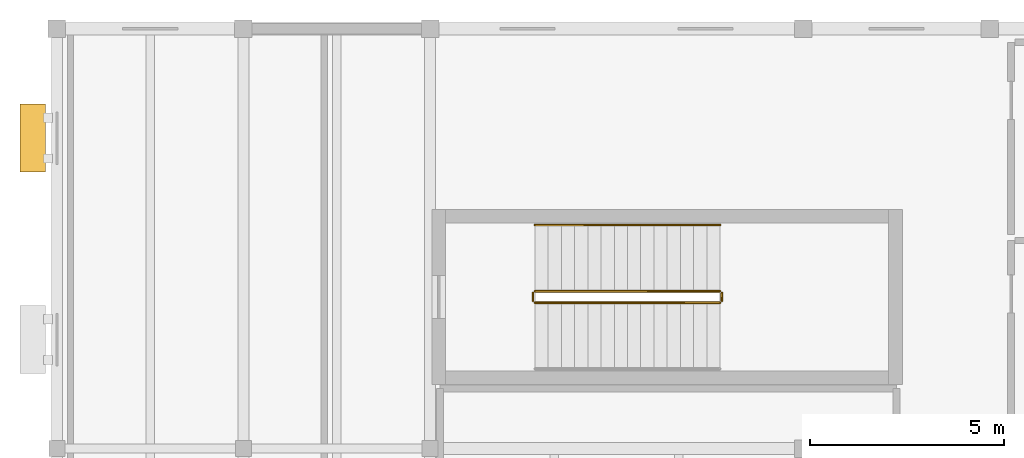
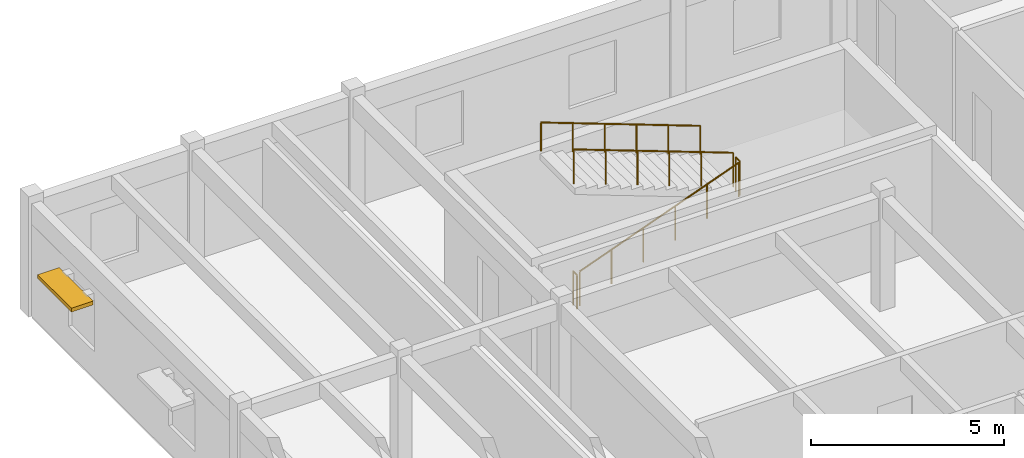
# One storey, part 17 of 18: 5 railings, 1 shading device.
"""IFC4 building model written with IfcOpenShell, lengths in metres."""

from ifc_helpers import new_model, si_unit, direction, frame, origin, origin_2d, place, context, subcontext, project, spatial, rectangle, circle, extrude, material, type_object, element, save


model = new_model("IFC4")

# Units and contexts
model_context = context("Model", 3, precision=1e-05, world=origin(), true_north=direction((0.0, 1.0)))
body_context = subcontext(model_context, "Body", "Model", "MODEL_VIEW")
ifc_project = project(units=[si_unit("LENGTHUNIT", "METRE"), si_unit("AREAUNIT", "SQUARE_METRE"), si_unit("VOLUMEUNIT", "CUBIC_METRE"), si_unit("PLANEANGLEUNIT", "RADIAN"), si_unit("MASSUNIT", "GRAM", prefix="KILO")], contexts=[model_context])

# Site, building, storey
site_placement = place(None, origin())
site = spatial("IfcSite", under=ifc_project, at=site_placement, CompositionType="ELEMENT")
building_placement = place(site_placement, origin())
building = spatial("IfcBuilding", under=site, at=building_placement, Name="Veldera Park Congress Hotel", CompositionType="ELEMENT")
storey_placement = place(building_placement, frame((0.0, 0.0, 31.39990234375)))
storey = spatial("IfcBuildingStorey", under=building, at=storey_placement, Name="L07", CompositionType="ELEMENT", Elevation=31.39990234375)

# Railings
ifc_material_1 = material(Name="Steel ASTM A992 Gr.50", Category="steel")
railing_type_1 = type_object("IfcRailingType", Name="GRD-ST110", PredefinedType="GUARDRAIL", material=ifc_material_1)
railing_1_placement = place(storey_placement, frame((53.89990234375, 50.949951171875, 0.126708984375)))
element("IfcRailing", 1, at=railing_1_placement, inside=storey, type_object=railing_type_1, Name="L07 ST3 stair guard 1", PredefinedType="GUARDRAIL", context=body_context, shape_type="SweptSolid", body=[
    extrude(circle(Radius=0.02392578125, at=origin_2d()), frame((0.0, 0.0, 1.076171875), z_axis=(0.937075640343, 0.0, 0.349126401572), x_axis=(0.0, 1.0, 0.0)), (0.0, 0.0, 1.0), 5.07958984375),
    extrude(circle(Radius=0.02099609375, at=origin_2d()), origin(), (0.0, 0.0, 1.0), 1.052001953125),
    extrude(circle(Radius=0.02099609375, at=origin_2d()), frame((0.951904296875, 0.0, 0.354736328125)), (0.0, 0.0, 1.0), 1.052001953125),
    extrude(circle(Radius=0.02099609375, at=origin_2d()), frame((1.904052734375, 0.0, 0.70947265625)), (0.0, 0.0, 1.0), 1.052001953125),
    extrude(circle(Radius=0.02099609375, at=origin_2d()), frame((2.85595703125, 0.0, 1.06396484375)), (0.0, 0.0, 1.0), 1.052001953125),
    extrude(circle(Radius=0.02099609375, at=origin_2d()), frame((3.80810546875, 0.0, 1.418701171875)), (0.0, 0.0, 1.0), 1.052001953125),
    extrude(circle(Radius=0.02099609375, at=origin_2d()), frame((4.760009765625, 0.0, 1.7734375)), (0.0, 0.0, 1.0), 1.052001953125),
])
railing_2_placement = place(storey_placement, frame((58.7099609375, 51.0, 1.900146484375)))
element("IfcRailing", 2, at=railing_2_placement, inside=storey, type_object=railing_type_1, Name="L07 ST3 stair guard 2", PredefinedType="GUARDRAIL", context=body_context, shape_type="SweptSolid", body=[
    extrude(circle(Radius=0.02392578125, at=origin_2d()), frame((0.0, 0.0, 1.076171875), z_axis=(0.0, 1.0, 0.0), x_axis=(-1.0, 0.0, 0.0)), (0.0, 0.0, 1.0), 0.199951171875),
    extrude(circle(Radius=0.02099609375, at=origin_2d()), origin(), (0.0, 0.0, 1.0), 1.052001953125),
    extrude(circle(Radius=0.02099609375, at=origin_2d()), frame((0.0, 0.199951171875, 0.0)), (0.0, 0.0, 1.0), 1.052001953125),
])
railing_3_placement = place(storey_placement, frame((58.659912109375, 51.25, 2.02685546875)))
element("IfcRailing", 3, at=railing_3_placement, inside=storey, type_object=railing_type_1, Name="L07 ST3 stair guard 3", PredefinedType="GUARDRAIL", context=body_context, shape_type="SweptSolid", body=[
    extrude(circle(Radius=0.02392578125, at=origin_2d()), frame((0.0, 0.0, 1.076171875), z_axis=(-0.937091363699, 0.0, 0.349084196263), x_axis=(0.0, -1.0, 0.0)), (0.0, 0.0, 1.0), 5.07958984375),
    extrude(circle(Radius=0.02099609375, at=origin_2d()), origin(), (0.0, 0.0, 1.0), 1.052001953125),
    extrude(circle(Radius=0.02099609375, at=origin_2d()), frame((-0.951904296875, 0.0, 0.354736328125)), (0.0, 0.0, 1.0), 1.052001953125),
    extrude(circle(Radius=0.02099609375, at=origin_2d()), frame((-1.904052734375, 0.0, 0.709228515625)), (0.0, 0.0, 1.0), 1.052001953125),
    extrude(circle(Radius=0.02099609375, at=origin_2d()), frame((-2.85595703125, 0.0, 1.06396484375)), (0.0, 0.0, 1.0), 1.052001953125),
    extrude(circle(Radius=0.02099609375, at=origin_2d()), frame((-3.80810546875, 0.0, 1.41845703125)), (0.0, 0.0, 1.0), 1.052001953125),
    extrude(circle(Radius=0.02099609375, at=origin_2d()), frame((-4.760009765625, 0.0, 1.773193359375)), (0.0, 0.0, 1.0), 1.052001953125),
])
railing_4_placement = place(storey_placement, frame((53.85009765625, 51.0, 0.0)))
element("IfcRailing", 4, at=railing_4_placement, inside=storey, type_object=railing_type_1, Name="L07 ST3 stair guard 4", PredefinedType="GUARDRAIL", context=body_context, shape_type="SweptSolid", body=[
    extrude(circle(Radius=0.02392578125, at=origin_2d()), frame((0.0, 0.0, 1.076171875), z_axis=(0.0, 1.0, 0.0), x_axis=(-1.0, 0.0, 0.0)), (0.0, 0.0, 1.0), 0.199951171875),
    extrude(circle(Radius=0.02099609375, at=origin_2d()), origin(), (0.0, 0.0, 1.0), 1.052001953125),
    extrude(circle(Radius=0.02099609375, at=origin_2d()), frame((0.0, 0.199951171875, 0.0)), (0.0, 0.0, 1.0), 1.052001953125),
])
railing_type_2 = type_object("IfcRailingType", Name="HRL-920", PredefinedType="HANDRAIL", material=ifc_material_1)
railing_5_placement = place(storey_placement, frame((58.659912109375, 52.949951171875, 2.02685546875)))
element("IfcRailing", 5, at=railing_5_placement, inside=storey, type_object=railing_type_2, Name="L07 ST3 stair handrail 2", PredefinedType="HANDRAIL", context=body_context, shape_type="SweptSolid", body=[
    extrude(circle(Radius=0.02392578125, at=origin_2d()), frame((0.0, 0.0, 0.89599609375), z_axis=(-0.937091363699, 0.0, 0.349084196263), x_axis=(0.0, -1.0, 0.0)), (0.0, 0.0, 1.0), 5.07958984375),
    extrude(circle(Radius=0.02099609375, at=origin_2d()), origin(), (0.0, 0.0, 1.0), 0.871826171875),
    extrude(circle(Radius=0.02099609375, at=origin_2d()), frame((-0.951904296875, 0.0, 0.354736328125)), (0.0, 0.0, 1.0), 0.871826171875),
    extrude(circle(Radius=0.02099609375, at=origin_2d()), frame((-1.904052734375, 0.0, 0.709228515625)), (0.0, 0.0, 1.0), 0.871826171875),
    extrude(circle(Radius=0.02099609375, at=origin_2d()), frame((-2.85595703125, 0.0, 1.06396484375)), (0.0, 0.0, 1.0), 0.871826171875),
    extrude(circle(Radius=0.02099609375, at=origin_2d()), frame((-3.80810546875, 0.0, 1.41845703125)), (0.0, 0.0, 1.0), 0.871826171875),
    extrude(circle(Radius=0.02099609375, at=origin_2d()), frame((-4.760009765625, 0.0, 1.773193359375)), (0.0, 0.0, 1.0), 0.871826171875),
])

# Shading device
ifc_material_2 = material(Name="Glulam GL28h (NDS 24F-V4)", Category="wood")
shading_device_type = type_object("IfcShadingDeviceType", Name="SHD-LVR300", PredefinedType="JALOUSIE", material=ifc_material_2)
shading_device_placement = place(storey_placement, frame((40.97509765625, 55.184814453125, 2.52001953125), z_axis=(0.0, 0.0, 1.0), x_axis=(0.0, -1.0, 0.0)))
element("IfcShadingDevice", 6, at=shading_device_placement, inside=storey, type_object=shading_device_type, Name="Glulam Solar Shade 195", PredefinedType="JALOUSIE", context=body_context, shape_type="SweptSolid", body=[
    extrude(rectangle(XDim=1.75, YDim=0.64990234375, at=origin_2d()), origin(), (0.0, 0.0, 1.0), 0.1201171875),
])

save(model, "model.ifc")
